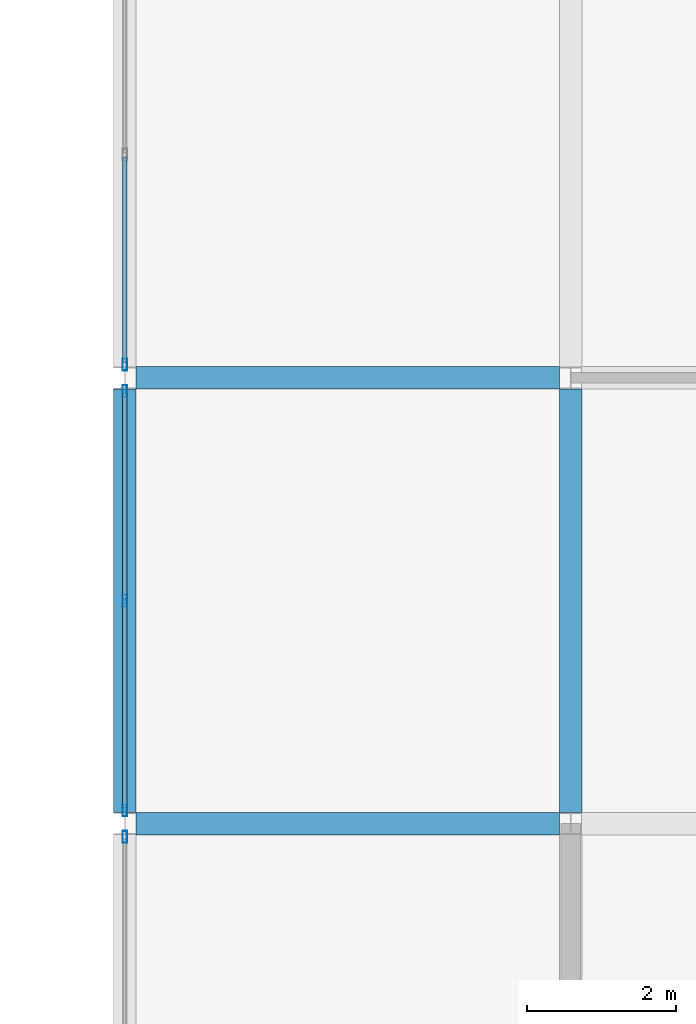
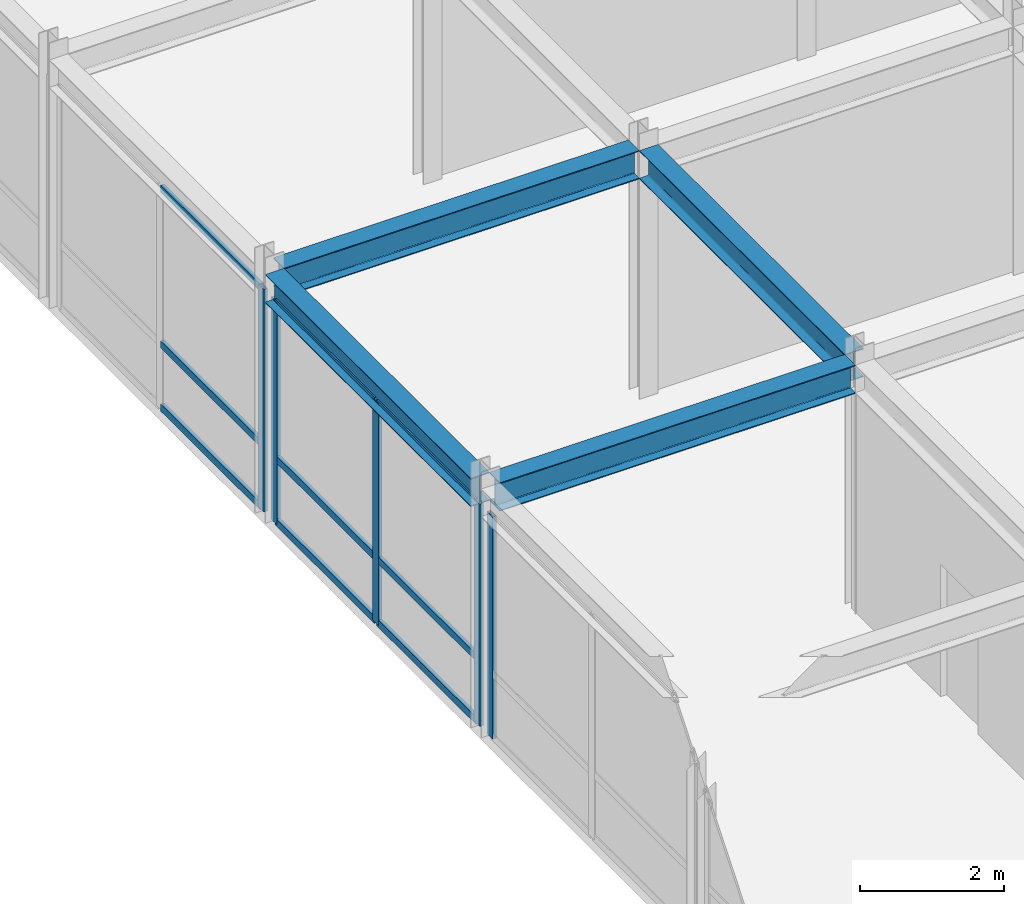
# One storey, part 48 of 108: 14 members, 4 beams, 3 elements without a shape of their own.
"""IFC4 building model written with IfcOpenShell, lengths in metres."""

from ifc_helpers import new_model, si_unit, direction, frame, origin, origin_2d, place, context, subcontext, project, spatial, hollow_rectangle, i_section, extrude, material, layer, layer_set, material_profile, profile_set, type_object, element, aggregate, save


model = new_model("IFC4")

# Units and contexts
model_context = context("Model", 3, precision=1e-05, world=origin(), true_north=direction((0.0, 1.0)))
body_context = subcontext(model_context, "Body", "Model", "MODEL_VIEW")
ifc_project = project(units=[si_unit("LENGTHUNIT", "METRE"), si_unit("AREAUNIT", "SQUARE_METRE"), si_unit("VOLUMEUNIT", "CUBIC_METRE"), si_unit("PLANEANGLEUNIT", "RADIAN"), si_unit("MASSUNIT", "GRAM", prefix="KILO")], contexts=[model_context])

# Site, building, storey
site_placement = place(None, origin())
site = spatial("IfcSite", under=ifc_project, at=site_placement, CompositionType="ELEMENT")
building_placement = place(site_placement, origin())
building = spatial("IfcBuilding", under=site, at=building_placement, Name="Zlatovratsky Civic Hall", CompositionType="ELEMENT")
storey_placement = place(building_placement, frame((0.0, 0.0, 12.0)))
storey = spatial("IfcBuildingStorey", under=building, at=storey_placement, Name="L03", CompositionType="ELEMENT", Elevation=12.0)

# Beams
ifc_material_1 = material(Name="Steel S355", Category="steel")
ifc_material_profile_1 = material_profile(ifc_material_1, i_section(OverallWidth=0.300048828125, OverallDepth=0.48193359375, WebThickness=0.010986328125, FlangeThickness=0.014892578125, FilletRadius=0.02392578125, at=origin_2d()), Name="50Sh1")
ifc_profile_set_1 = profile_set([ifc_material_profile_1], Name="Steel S355")
beam_type = type_object("IfcBeamType", Name="Beam_LibraryGirder_50Sh1", PredefinedType="BEAM", material=ifc_profile_set_1)
for number, where, z_axis, x_axis, name in (
    (1, (48.1494140625, 48.0, 3.97900390625), (1.0, 0.0, 0.0), (0.0, 1.0, 0.0), "BM-2577"),
    (2, (48.1494140625, 54.0, 3.97900390625), (1.0, 0.0, 0.0), (0.0, 1.0, 0.0), "BM-2587"),
):
    element("IfcBeam", number, at=place(storey_placement, frame(where, z_axis=z_axis, x_axis=x_axis)), inside=storey, type_object=beam_type, Name=name, PredefinedType="BEAM", context=body_context, shape_type="SweptSolid", body=[
        extrude(i_section(OverallWidth=0.300048828125, OverallDepth=0.48193359375, WebThickness=0.010986328125, FlangeThickness=0.014892578125, FilletRadius=0.02392578125, at=origin_2d()), origin(), (0.0, 0.0, 1.0), 5.701171875),
    ])
for number, where, z_axis, x_axis, name in (
    (3, (48.0, 48.14794921875, 3.97900390625), (0.0, 1.0, 0.0), (-1.0, 0.0, 0.0), "BM-2872"),
    (4, (54.0, 48.14794921875, 3.97900390625), (0.0, 1.0, 0.0), (-1.0, 0.0, 0.0), "BM-2889"),
):
    element("IfcBeam", number, at=place(storey_placement, frame(where, z_axis=z_axis, x_axis=x_axis)), inside=storey, type_object=beam_type, Name=name, PredefinedType="BEAM", context=body_context, shape_type="SweptSolid", body=[
        extrude(i_section(OverallWidth=0.300048828125, OverallDepth=0.48193359375, WebThickness=0.010986328125, FlangeThickness=0.014892578125, FilletRadius=0.02392578125, at=origin_2d()), origin(), (0.0, 0.0, 1.0), 5.7041015625),
    ])

# Curtain wall, member
ifc_material_2 = material(Name="Anodised bronze aluminium", Category="aluminium")
ifc_layer = layer(ifc_material_2, 0.159912109375)
ifc_layer_set = layer_set([ifc_layer], Name="Anodised bronze aluminium")
curtain_wall_type = type_object("IfcCurtainWallType", Name="CurtainWall_Bronze_5700x3770_12", PredefinedType="NOTDEFINED", material=ifc_layer_set)
curtain_wall_1_placement = place(storey_placement, origin())
curtain_wall_1 = element("IfcCurtainWall", 5, at=curtain_wall_1_placement, inside=storey, type_object=curtain_wall_type, Name="CW-065", PredefinedType="NOTDEFINED")
ifc_material_profile_2 = material_profile(ifc_material_2, hollow_rectangle(XDim=0.06005859375, YDim=0.159912109375, WallThickness=0.00390625, at=origin_2d()), Name="ALU 60x160x4")
ifc_profile_set_2 = profile_set([ifc_material_profile_2], Name="Anodised bronze aluminium")
member_type_1 = type_object("IfcMemberType", Name="CW_Mullion_60x160", PredefinedType="MULLION", material=ifc_profile_set_2)
member_1_placement = place(storey_placement, frame((48.0, 47.822021484375, 0.0), z_axis=(0.0, 0.0, 1.0), x_axis=(-1.0, 0.0, 0.0)))
member_1 = element("IfcMember", 6, at=member_1_placement, type_object=member_type_1, Name="CW-12 mullion 3", PredefinedType="MULLION", context=body_context, shape_type="SweptSolid", body=[
    extrude(hollow_rectangle(XDim=0.06005859375, YDim=0.159912109375, WallThickness=0.00390625, at=origin_2d()), origin(), (0.0, 0.0, 1.0), 3.77001953125),
])
aggregate(curtain_wall_1, [member_1])

# Curtain wall, members
curtain_wall_2_placement = place(storey_placement, origin())
curtain_wall_2 = element("IfcCurtainWall", 7, at=curtain_wall_2_placement, inside=storey, type_object=curtain_wall_type, Name="CW-066", PredefinedType="NOTDEFINED")
member_2_placement = place(storey_placement, frame((48.0, 48.177978515625, 0.0), z_axis=(0.0, 0.0, 1.0), x_axis=(-1.0, 0.0, 0.0)))
member_2 = element("IfcMember", 8, at=member_2_placement, type_object=member_type_1, Name="CW-12 mullion 1", PredefinedType="MULLION", context=body_context, shape_type="SweptSolid", body=[
    extrude(hollow_rectangle(XDim=0.06005859375, YDim=0.159912109375, WallThickness=0.00390625, at=origin_2d()), origin(), (0.0, 0.0, 1.0), 3.77001953125),
])
member_3_placement = place(storey_placement, frame((48.0, 51.0, 0.0), z_axis=(0.0, 0.0, 1.0), x_axis=(-1.0, 0.0, 0.0)))
member_3 = element("IfcMember", 9, at=member_3_placement, type_object=member_type_1, Name="CW-12 mullion 2", PredefinedType="MULLION", context=body_context, shape_type="SweptSolid", body=[
    extrude(hollow_rectangle(XDim=0.06005859375, YDim=0.159912109375, WallThickness=0.00390625, at=origin_2d()), origin(), (0.0, 0.0, 1.0), 3.77001953125),
])
member_4_placement = place(storey_placement, frame((48.0, 53.822021484375, 0.0), z_axis=(0.0, 0.0, 1.0), x_axis=(-1.0, 0.0, 0.0)))
member_4 = element("IfcMember", 10, at=member_4_placement, type_object=member_type_1, Name="CW-12 mullion 3", PredefinedType="MULLION", context=body_context, shape_type="SweptSolid", body=[
    extrude(hollow_rectangle(XDim=0.06005859375, YDim=0.159912109375, WallThickness=0.00390625, at=origin_2d()), origin(), (0.0, 0.0, 1.0), 3.77001953125),
])

# Curtain wall, member
curtain_wall_3_placement = place(storey_placement, origin())
curtain_wall_3 = element("IfcCurtainWall", 11, at=curtain_wall_3_placement, inside=storey, type_object=curtain_wall_type, Name="CW-067", PredefinedType="NOTDEFINED")
member_5_placement = place(storey_placement, frame((48.0, 54.177978515625, 0.0), z_axis=(0.0, 0.0, 1.0), x_axis=(-1.0, 0.0, 0.0)))
member_5 = element("IfcMember", 12, at=member_5_placement, type_object=member_type_1, Name="CW-12 mullion 1", PredefinedType="MULLION", context=body_context, shape_type="SweptSolid", body=[
    extrude(hollow_rectangle(XDim=0.06005859375, YDim=0.159912109375, WallThickness=0.00390625, at=origin_2d()), origin(), (0.0, 0.0, 1.0), 3.77001953125),
])

# Member
ifc_material_profile_3 = material_profile(ifc_material_2, hollow_rectangle(XDim=0.06005859375, YDim=0.1201171875, WallThickness=0.00390625, at=origin_2d()), Name="ALU 60x120x4")
ifc_profile_set_3 = profile_set([ifc_material_profile_3], Name="Anodised bronze aluminium")
member_type_2 = type_object("IfcMemberType", Name="CW_Transom_60x120", PredefinedType="USERDEFINED", material=ifc_profile_set_3)
member_6_placement = place(storey_placement, frame((48.0, 48.2080078125, 0.030029296875), z_axis=(0.0, 1.0, 0.0), x_axis=(-1.0, 0.0, 0.0)))
member_6 = element("IfcMember", 13, at=member_6_placement, type_object=member_type_2, Name="CW-12 transom 1.1", ObjectType="TRANSOM", PredefinedType="USERDEFINED", context=body_context, shape_type="SweptSolid", body=[
    extrude(hollow_rectangle(XDim=0.06005859375, YDim=0.1201171875, WallThickness=0.00390625, at=origin_2d()), origin(), (0.0, 0.0, 1.0), 2.761962890625),
])

member_7_placement = place(storey_placement, frame((48.0, 48.2080078125, 1.10009765625), z_axis=(0.0, 1.0, 0.0), x_axis=(-1.0, 0.0, 0.0)))
member_7 = element("IfcMember", 14, at=member_7_placement, type_object=member_type_2, Name="CW-12 transom 1.2", ObjectType="TRANSOM", PredefinedType="USERDEFINED", context=body_context, shape_type="SweptSolid", body=[
    extrude(hollow_rectangle(XDim=0.06005859375, YDim=0.1201171875, WallThickness=0.00390625, at=origin_2d()), origin(), (0.0, 0.0, 1.0), 2.761962890625),
])

member_8_placement = place(storey_placement, frame((48.0, 48.2080078125, 3.739990234375), z_axis=(0.0, 1.0, 0.0), x_axis=(-1.0, 0.0, 0.0)))
member_8 = element("IfcMember", 15, at=member_8_placement, type_object=member_type_2, Name="CW-12 transom 1.3", ObjectType="TRANSOM", PredefinedType="USERDEFINED", context=body_context, shape_type="SweptSolid", body=[
    extrude(hollow_rectangle(XDim=0.06005859375, YDim=0.1201171875, WallThickness=0.00390625, at=origin_2d()), origin(), (0.0, 0.0, 1.0), 2.761962890625),
])

member_9_placement = place(storey_placement, frame((48.0, 51.030029296875, 0.030029296875), z_axis=(0.0, 1.0, 0.0), x_axis=(-1.0, 0.0, 0.0)))
member_9 = element("IfcMember", 16, at=member_9_placement, type_object=member_type_2, Name="CW-12 transom 2.1", ObjectType="TRANSOM", PredefinedType="USERDEFINED", context=body_context, shape_type="SweptSolid", body=[
    extrude(hollow_rectangle(XDim=0.06005859375, YDim=0.1201171875, WallThickness=0.00390625, at=origin_2d()), origin(), (0.0, 0.0, 1.0), 2.761962890625),
])

member_10_placement = place(storey_placement, frame((48.0, 51.030029296875, 1.10009765625), z_axis=(0.0, 1.0, 0.0), x_axis=(-1.0, 0.0, 0.0)))
member_10 = element("IfcMember", 17, at=member_10_placement, type_object=member_type_2, Name="CW-12 transom 2.2", ObjectType="TRANSOM", PredefinedType="USERDEFINED", context=body_context, shape_type="SweptSolid", body=[
    extrude(hollow_rectangle(XDim=0.06005859375, YDim=0.1201171875, WallThickness=0.00390625, at=origin_2d()), origin(), (0.0, 0.0, 1.0), 2.761962890625),
])

member_11_placement = place(storey_placement, frame((48.0, 51.030029296875, 3.739990234375), z_axis=(0.0, 1.0, 0.0), x_axis=(-1.0, 0.0, 0.0)))
member_11 = element("IfcMember", 18, at=member_11_placement, type_object=member_type_2, Name="CW-12 transom 2.3", ObjectType="TRANSOM", PredefinedType="USERDEFINED", context=body_context, shape_type="SweptSolid", body=[
    extrude(hollow_rectangle(XDim=0.06005859375, YDim=0.1201171875, WallThickness=0.00390625, at=origin_2d()), origin(), (0.0, 0.0, 1.0), 2.761962890625),
])

aggregate(curtain_wall_2, [member_2, member_3, member_4, member_6, member_7, member_8, member_9, member_10, member_11])

member_12_placement = place(storey_placement, frame((48.0, 54.2080078125, 0.030029296875), z_axis=(0.0, 1.0, 0.0), x_axis=(-1.0, 0.0, 0.0)))
member_12 = element("IfcMember", 19, at=member_12_placement, type_object=member_type_2, Name="CW-12 transom 1.1", ObjectType="TRANSOM", PredefinedType="USERDEFINED", context=body_context, shape_type="SweptSolid", body=[
    extrude(hollow_rectangle(XDim=0.06005859375, YDim=0.1201171875, WallThickness=0.00390625, at=origin_2d()), origin(), (0.0, 0.0, 1.0), 2.761962890625),
])

member_13_placement = place(storey_placement, frame((48.0, 54.2080078125, 1.10009765625), z_axis=(0.0, 1.0, 0.0), x_axis=(-1.0, 0.0, 0.0)))
member_13 = element("IfcMember", 20, at=member_13_placement, type_object=member_type_2, Name="CW-12 transom 1.2", ObjectType="TRANSOM", PredefinedType="USERDEFINED", context=body_context, shape_type="SweptSolid", body=[
    extrude(hollow_rectangle(XDim=0.06005859375, YDim=0.1201171875, WallThickness=0.00390625, at=origin_2d()), origin(), (0.0, 0.0, 1.0), 2.761962890625),
])

member_14_placement = place(storey_placement, frame((48.0, 54.2080078125, 3.739990234375), z_axis=(0.0, 1.0, 0.0), x_axis=(-1.0, 0.0, 0.0)))
member_14 = element("IfcMember", 21, at=member_14_placement, type_object=member_type_2, Name="CW-12 transom 1.3", ObjectType="TRANSOM", PredefinedType="USERDEFINED", context=body_context, shape_type="SweptSolid", body=[
    extrude(hollow_rectangle(XDim=0.06005859375, YDim=0.1201171875, WallThickness=0.00390625, at=origin_2d()), origin(), (0.0, 0.0, 1.0), 2.761962890625),
])

aggregate(curtain_wall_3, [member_5, member_12, member_13, member_14])

save(model, "model.ifc")
